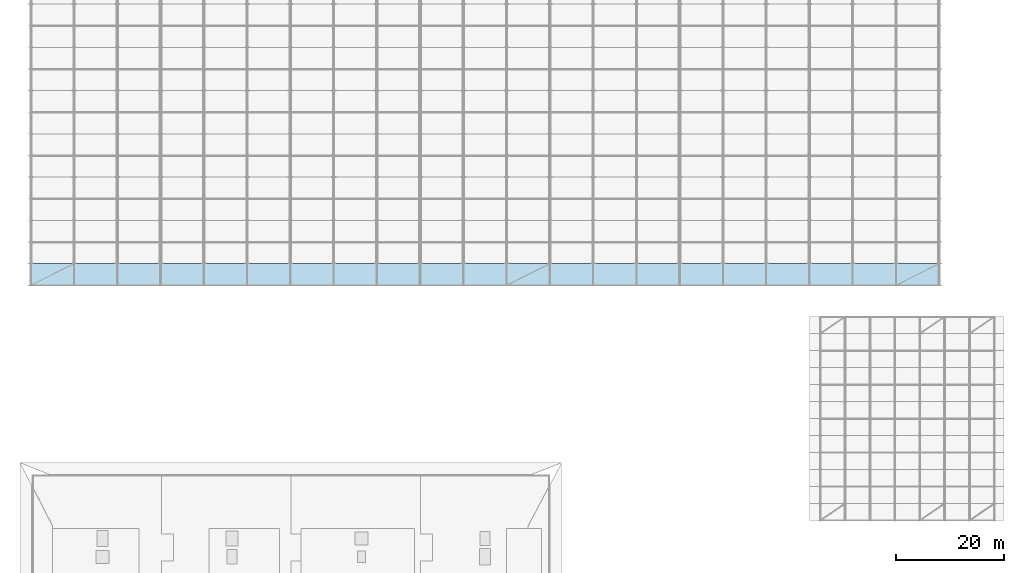
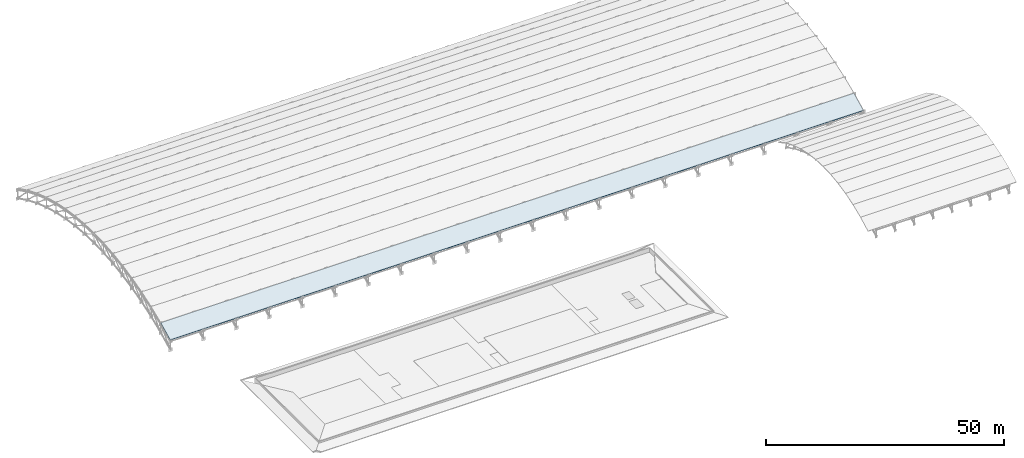
# One storey, part 59 of 98: 1 slab.
"""IFC4 building model written with IfcOpenShell, lengths in metres."""

from ifc_helpers import new_model, si_unit, direction, frame, origin, place, context, subcontext, project, spatial, polyline, outline, extrude, material, layer, layer_set, type_object, element, save


model = new_model("IFC4")

# Units and contexts
model_context = context("Model", 3, precision=1e-05, world=origin(), true_north=direction((0.0, 1.0)))
body_context = subcontext(model_context, "Body", "Model", "MODEL_VIEW")
ifc_project = project(units=[si_unit("LENGTHUNIT", "METRE"), si_unit("AREAUNIT", "SQUARE_METRE"), si_unit("VOLUMEUNIT", "CUBIC_METRE"), si_unit("PLANEANGLEUNIT", "RADIAN"), si_unit("MASSUNIT", "GRAM", prefix="KILO")], contexts=[model_context])

# Site, building, storey
site_placement = place(None, origin())
site = spatial("IfcSite", under=ifc_project, at=site_placement, CompositionType="ELEMENT")
building_placement = place(site_placement, origin())
building = spatial("IfcBuilding", under=site, at=building_placement, Name="Tlacozan Convention Centre", CompositionType="ELEMENT")
storey_placement = place(building_placement, frame((0.0, 0.0, 25.800048828125)))
storey = spatial("IfcBuildingStorey", under=building, at=storey_placement, Name="Roof", CompositionType="ELEMENT", Elevation=25.800048828125)

# Slab
ifc_material = material(Name="Concrete C40/50", Category="concrete")
ifc_layer = layer(ifc_material, 0.179931640625)
ifc_layer_set = layer_set([ifc_layer], Name="Concrete C40/50")
slab_type = type_object("IfcSlabType", Name="Exhibition Arched Roof Deck 180", PredefinedType="ROOF", material=ifc_layer_set)
slab_placement = place(storey_placement, frame((0.0, 62.0, -10.2900390625), z_axis=(0.0, -0.441420866459, 0.897300183135), x_axis=(1.0, 0.0, 0.0)))
element("IfcSlab", 1, at=slab_placement, inside=storey, type_object=slab_type, Name="V2A Arched Roof Facet Slab 1", PredefinedType="ROOF", context=body_context, shape_type="SweptSolid", body=[
    extrude(outline(polyline([(0.0, 0.0), (168.0, 0.0), (168.0, 4.457816988317328), (0.0, 4.457816988317328), (0.0, 0.0)])), origin(), (0.0, 0.0, -1.0), 0.179931640625),
])

save(model, "model.ifc")
